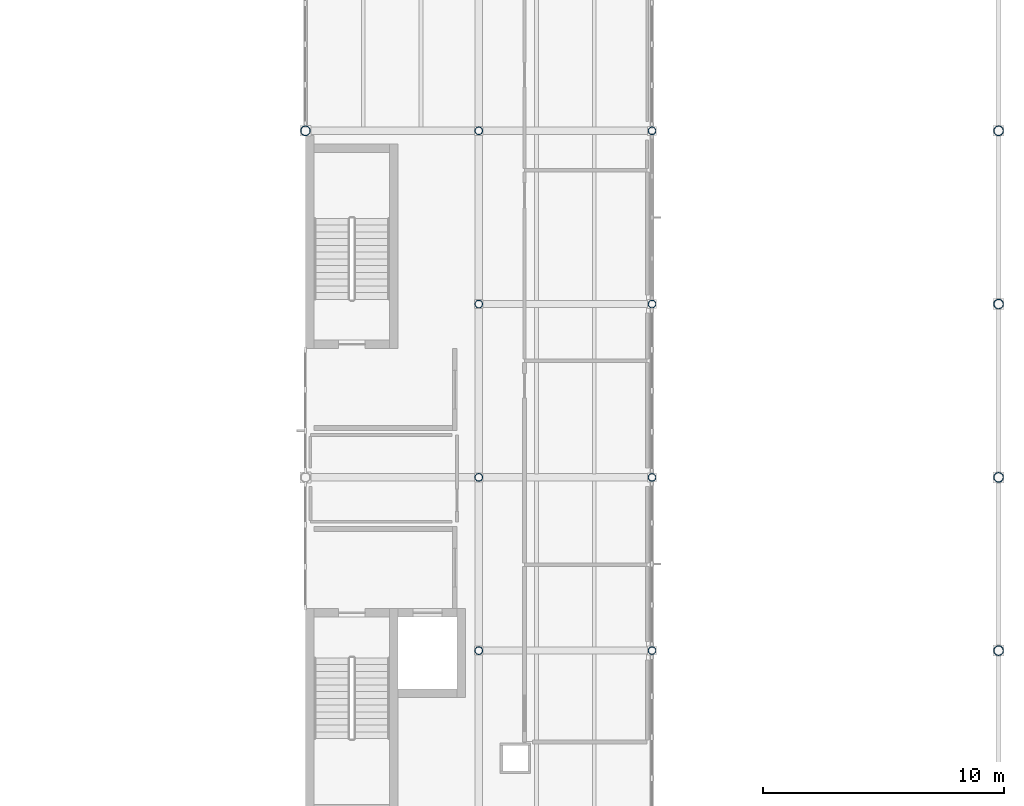
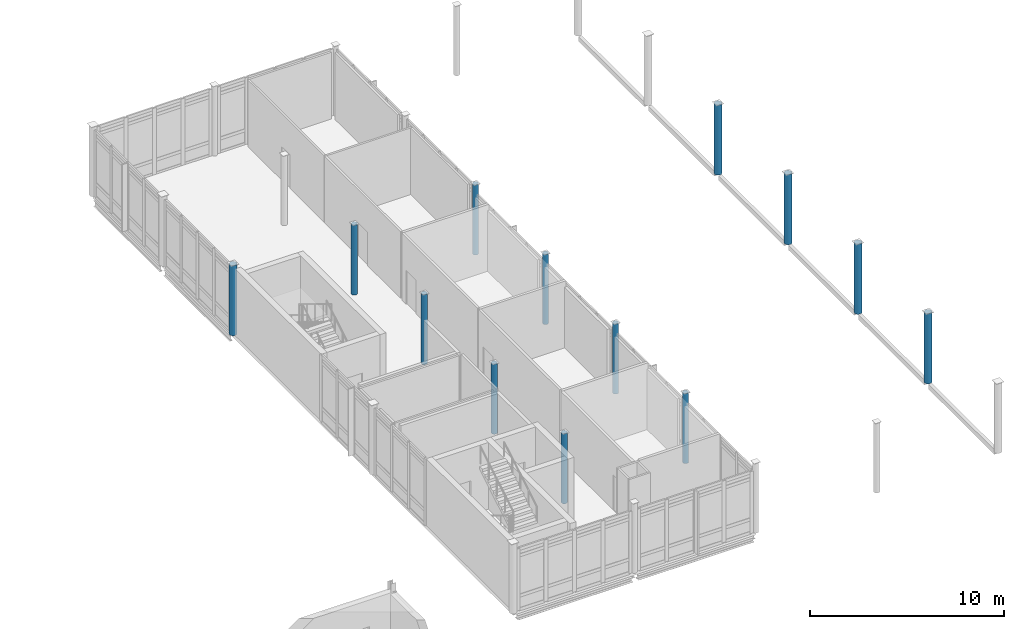
# One storey, part 6 of 76: 13 columns.
"""IFC4 building model written with IfcOpenShell, lengths in metres."""

from ifc_helpers import new_model, si_unit, direction, frame, origin, origin_2d, place, context, subcontext, project, spatial, hollow_circle, extrude, material, material_profile, profile_set, type_object, element, save


model = new_model("IFC4")

# Units and contexts
model_context = context("Model", 3, precision=1e-05, world=origin(), true_north=direction((0.0, 1.0)))
body_context = subcontext(model_context, "Body", "Model", "MODEL_VIEW")
ifc_project = project(units=[si_unit("LENGTHUNIT", "METRE"), si_unit("AREAUNIT", "SQUARE_METRE"), si_unit("VOLUMEUNIT", "CUBIC_METRE"), si_unit("PLANEANGLEUNIT", "RADIAN"), si_unit("MASSUNIT", "GRAM", prefix="KILO")], contexts=[model_context])

# Site, building, storey
site_placement = place(None, origin())
site = spatial("IfcSite", under=ifc_project, at=site_placement, CompositionType="ELEMENT")
building_placement = place(site_placement, origin())
building = spatial("IfcBuilding", under=site, at=building_placement, Name="Zarrinpeak Specialist Clinic", CompositionType="ELEMENT")
storey_placement = place(building_placement, frame((0.0, 0.0, 5.199951171875)))
storey = spatial("IfcBuildingStorey", under=building, at=storey_placement, Name="L01", CompositionType="ELEMENT", Elevation=5.199951171875)

# Columns
ifc_material = material(Name="Steel S355", Category="steel")
ifc_material_profile_1 = material_profile(ifc_material, hollow_circle(Radius=0.161865234375, WallThickness=0.012451171875, at=origin_2d()), Name="CHS 323.9x12.5")
ifc_profile_set_1 = profile_set([ifc_material_profile_1], Name="Steel S355")
column_type_1 = type_object("IfcColumnType", Name="COL-CHS324", PredefinedType="COLUMN", material=ifc_profile_set_1)
for number, where, z_axis, x_axis, name in (
    (1, (100.800048828125, 36.0, 0.0), (0.0, 0.0, 1.0), (1.0, 0.0, 0.0), "L01 Structural Column COL-L01-144"),
    (2, (100.800048828125, 43.199951171875, 0.0), (0.0, 0.0, 1.0), (1.0, 0.0, 0.0), "L01 Structural Column COL-L01-145"),
    (3, (100.800048828125, 50.39990234375, 0.0), (0.0, 0.0, 1.0), (1.0, 0.0, 0.0), "L01 Structural Column COL-L01-146"),
    (4, (100.800048828125, 57.60009765625, 0.0), (0.0, 0.0, 1.0), (1.0, 0.0, 0.0), "L01 Structural Column COL-L01-147"),
    (5, (108.0, 36.0, 0.0), (0.0, 0.0, 1.0), (1.0, 0.0, 0.0), "L01 Structural Column COL-L01-151"),
    (6, (108.0, 43.199951171875, 0.0), (0.0, 0.0, 1.0), (1.0, 0.0, 0.0), "L01 Structural Column COL-L01-152"),
    (7, (108.0, 50.39990234375, 0.0), (0.0, 0.0, 1.0), (1.0, 0.0, 0.0), "L01 Structural Column COL-L01-153"),
    (8, (108.0, 57.60009765625, 0.0), (0.0, 0.0, 1.0), (1.0, 0.0, 0.0), "L01 Structural Column COL-L01-154"),
):
    element("IfcColumn", number, at=place(storey_placement, frame(where, z_axis=z_axis, x_axis=x_axis)), inside=storey, type_object=column_type_1, Name=name, PredefinedType="COLUMN", context=body_context, shape_type="SweptSolid", body=[
        extrude(hollow_circle(Radius=0.161865234375, WallThickness=0.012451171875, at=origin_2d()), origin(), (0.0, 0.0, 1.0), 4.400146484375),
    ])
ifc_material_profile_2 = material_profile(ifc_material, hollow_circle(Radius=0.203125, WallThickness=0.01611328125, at=origin_2d()), Name="CHS 406.4x16.0")
ifc_profile_set_2 = profile_set([ifc_material_profile_2], Name="Steel S355")
column_type_2 = type_object("IfcColumnType", Name="COL-CHS406", PredefinedType="COLUMN", material=ifc_profile_set_2)
for number, where, z_axis, x_axis, name in (
    (9, (93.60009765625, 57.60009765625, 0.0), (0.0, 0.0, 1.0), (1.0, 0.0, 0.0), "L01 Structural Column COL-L01-140"),
    (10, (122.39990234375, 36.0, 0.0), (0.0, 0.0, 1.0), (1.0, 0.0, 0.0), "L01 Structural Column COL-L01-160"),
    (11, (122.39990234375, 43.199951171875, 0.0), (0.0, 0.0, 1.0), (1.0, 0.0, 0.0), "L01 Structural Column COL-L01-161"),
    (12, (122.39990234375, 50.39990234375, 0.0), (0.0, 0.0, 1.0), (1.0, 0.0, 0.0), "L01 Structural Column COL-L01-162"),
    (13, (122.39990234375, 57.60009765625, 0.0), (0.0, 0.0, 1.0), (1.0, 0.0, 0.0), "L01 Structural Column COL-L01-163"),
):
    element("IfcColumn", number, at=place(storey_placement, frame(where, z_axis=z_axis, x_axis=x_axis)), inside=storey, type_object=column_type_2, Name=name, PredefinedType="COLUMN", context=body_context, shape_type="SweptSolid", body=[
        extrude(hollow_circle(Radius=0.203125, WallThickness=0.01611328125, at=origin_2d()), origin(), (0.0, 0.0, 1.0), 4.400146484375),
    ])

save(model, "model.ifc")
